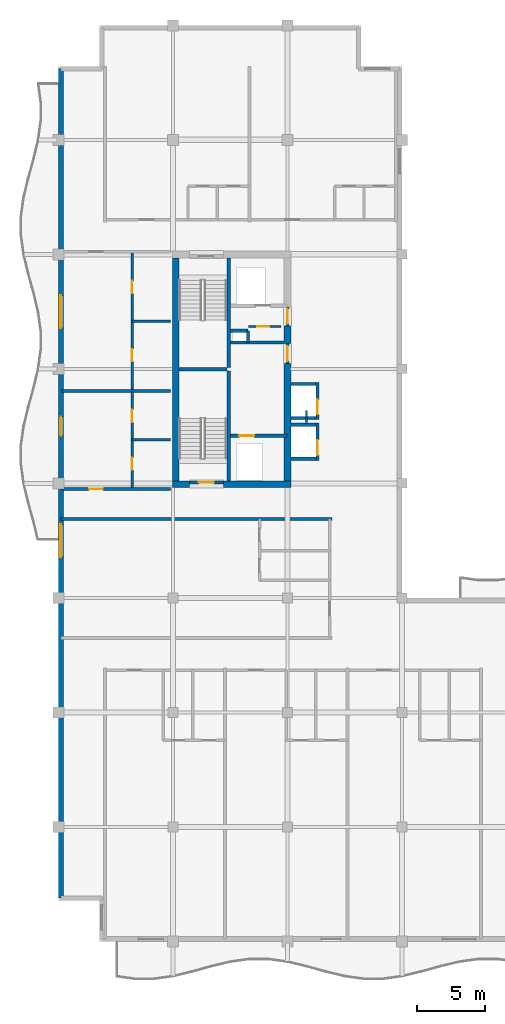
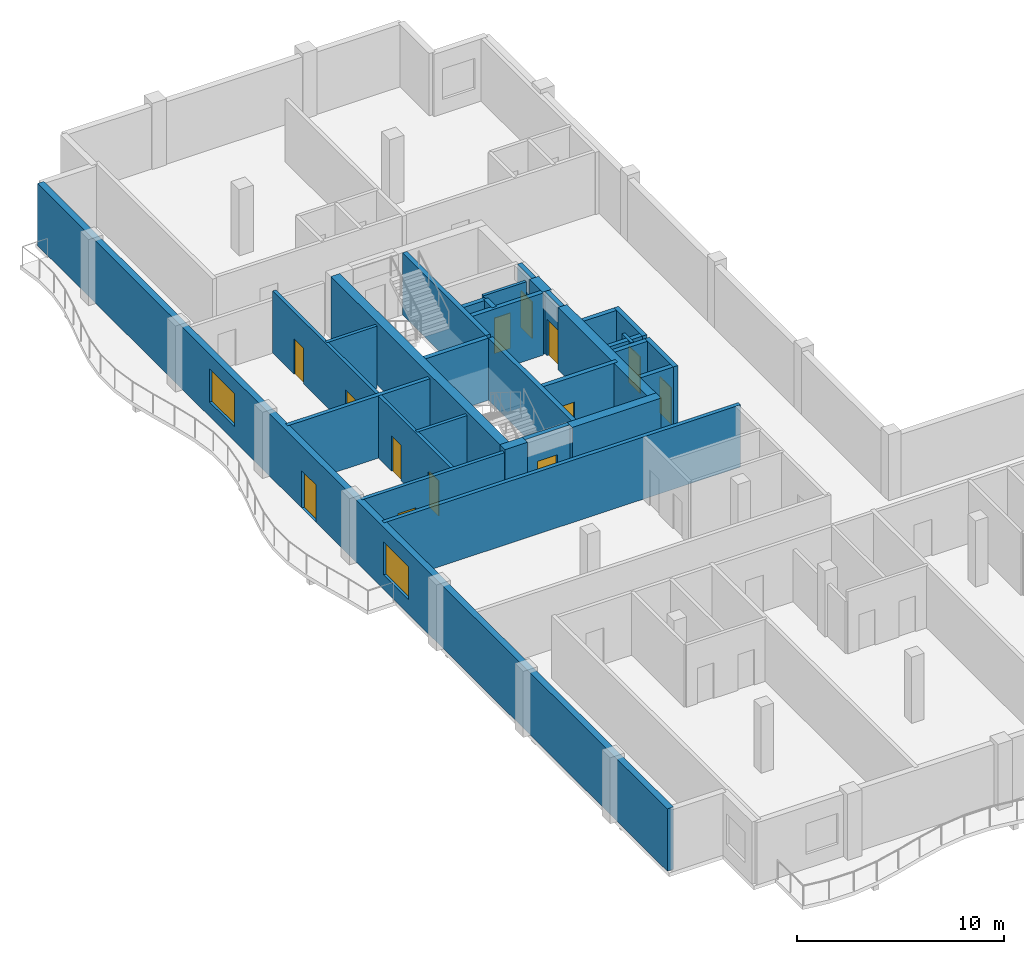
# One storey, part 5 of 10: 31 walls, 13 doors, 2 windows, 15 openings.
"""IFC4 building model written with IfcOpenShell, lengths in metres."""

from ifc_helpers import new_model, si_unit, direction, frame, frame_2d, origin, place, context, subcontext, project, spatial, rectangle, extrude, material, layer, layer_set, type_object, element, fill, save


model = new_model("IFC4")

# Units and contexts
model_context = context("Model", 3, precision=1e-05, world=origin(), true_north=direction((0.0, 1.0)))
body_context = subcontext(model_context, "Body", "Model", "MODEL_VIEW")
ifc_project = project(units=[si_unit("LENGTHUNIT", "METRE"), si_unit("AREAUNIT", "SQUARE_METRE"), si_unit("VOLUMEUNIT", "CUBIC_METRE"), si_unit("PLANEANGLEUNIT", "RADIAN"), si_unit("MASSUNIT", "GRAM", prefix="KILO")], contexts=[model_context])

# Site, building, storey
site_placement = place(None, origin())
site = spatial("IfcSite", under=ifc_project, at=site_placement, CompositionType="ELEMENT")
building_placement = place(site_placement, origin())
building = spatial("IfcBuilding", under=site, at=building_placement, Name="Koriwani Terraces Tower", CompositionType="ELEMENT")
storey_placement = place(building_placement, frame((0.0, 0.0, 304.699951171875)))
storey = spatial("IfcBuildingStorey", under=building, at=storey_placement, Name="L75", CompositionType="ELEMENT", Elevation=304.699951171875)

# Walls
ifc_material_1 = material(Name="Concrete C50/60", Category="concrete")
ifc_layer_1 = layer(ifc_material_1, 0.5, Name="Concrete C50/60")
ifc_layer_set_1 = layer_set([ifc_layer_1], Name="Concrete C50/60")
wall_type_1 = type_object("IfcWallType", Name="WALL_CORE_RC_500", PredefinedType="SHEAR", material=ifc_layer_set_1)
wall_1_placement = place(storey_placement, frame((16.75, 41.949951171875, 0.0), z_axis=(0.0, 0.0, 1.0), x_axis=(1.0, 0.0, 0.0)))
element("IfcWall", 1, at=wall_1_placement, inside=storey, type_object=wall_type_1, Name="L75 West Split Core Shear Wall S1", PredefinedType="SHEAR", context=body_context, shape_type="SweptSolid", body=[
    extrude(rectangle(XDim=1.25, YDim=0.5, at=frame_2d((0.625, 0.0))), origin(), (0.0, 0.0, 1.0), 3.670166015625),
])
wall_2_placement = place(storey_placement, frame((20.5, 41.949951171875, 0.0), z_axis=(0.0, 0.0, 1.0), x_axis=(1.0, 0.0, 0.0)))
element("IfcWall", 2, at=wall_2_placement, inside=storey, type_object=wall_type_1, Name="L75 West Split Core Shear Wall S2", PredefinedType="SHEAR", context=body_context, shape_type="SweptSolid", body=[
    extrude(rectangle(XDim=4.949951171875, YDim=0.5, at=frame_2d((2.47509765625, 0.0))), origin(), (0.0, 0.0, 1.0), 3.670166015625),
])
wall_3_placement = place(storey_placement, frame((17.0, 42.199951171875, 0.0), z_axis=(0.0, 0.0, 1.0), x_axis=(0.0, 1.0, 0.0)))
element("IfcWall", 3, at=wall_3_placement, inside=storey, type_object=wall_type_1, Name="L75 West Split Core Shear Wall W1", PredefinedType="SHEAR", context=body_context, shape_type="SweptSolid", body=[
    extrude(rectangle(XDim=16.35009765625, YDim=0.5, at=frame_2d((8.175048828125, 0.0))), origin(), (0.0, 0.0, 1.0), 3.670166015625),
])
wall_4_placement = place(storey_placement, frame((25.199951171875, 42.199951171875, 0.0), z_axis=(0.0, 0.0, 1.0), x_axis=(0.0, 1.0, 0.0)))
element("IfcWall", 4, at=wall_4_placement, inside=storey, type_object=wall_type_1, Name="L75 West Split Core Shear Wall E1", PredefinedType="SHEAR", context=body_context, shape_type="SweptSolid", body=[
    extrude(rectangle(XDim=8.60009765625, YDim=0.5, at=frame_2d((4.300048828125, 0.0))), origin(), (0.0, 0.0, 1.0), 3.670166015625),
])
wall_5_placement = place(storey_placement, frame((25.199951171875, 52.280029296875, 0.0), z_axis=(0.0, 0.0, 1.0), x_axis=(0.0, 1.0, 0.0)))
element("IfcWall", 5, at=wall_5_placement, inside=storey, type_object=wall_type_1, Name="L75 West Split Core Shear Wall E2", PredefinedType="SHEAR", context=body_context, shape_type="SweptSolid", body=[
    extrude(rectangle(XDim=1.27001953125, YDim=0.5, at=frame_2d((0.635009765625, 0.0))), origin(), (0.0, 0.0, 1.0), 3.670166015625),
])

# Wall, opening, door
ifc_material_2 = material(Name="Autoclaved Cellular Concrete Blockwork", Category="masonry")
ifc_layer_2 = layer(ifc_material_2, 0.199951171875, Name="Autoclaved Cellular Concrete Blockwork")
ifc_layer_set_2 = layer_set([ifc_layer_2], Name="Autoclaved Cellular Concrete Blockwork")
wall_type_2 = type_object("IfcWallType", Name="WALL_CORRIDOR_200", PredefinedType="PARTITIONING", material=ifc_layer_set_2)
wall_6_placement = place(storey_placement, frame((8.64990234375, 41.60009765625, 0.0), z_axis=(0.0, 0.0, 1.0), x_axis=(1.0, 0.0, 0.0)))
wall_6 = element("IfcWall", 6, at=wall_6_placement, inside=storey, type_object=wall_type_2, Name="L75 Interior Wall WRZ4-WS-L75", PredefinedType="PARTITIONING", context=body_context, shape_type="SweptSolid", body=[
    extrude(rectangle(XDim=7.9501953125, YDim=0.199951171875, at=frame_2d((3.97509765625, 0.0))), origin(), (0.0, 0.0, 1.0), 3.670166015625),
])
opening_1_placement = place(wall_6_placement, frame((2.0, 0.0, 0.0)))
opening_1 = element("IfcOpeningElement", 7, at=opening_1_placement, cuts=wall_6, Name="Opening D-05", PredefinedType="OPENING", context=body_context, shape_type="SweptSolid", body=[
    extrude(rectangle(XDim=1.0, YDim=2.14990234375, at=frame_2d((0.5, 1.074951171875))), frame((0.0, 0.10986328125, 0.0), z_axis=(0.0, -1.0, 0.0), x_axis=(1.0, 0.0, 0.0)), (0.0, 0.0, 1.0), 0.219970703125),
])
ifc_material_3 = material(Name="Architectural Oak Fire Door", Category="wood")
door_type_1 = type_object("IfcDoorType", Name="DOOR_SUITE_ENTRY_1000X2150", OperationType="NOTDEFINED", PredefinedType="DOOR", material=ifc_material_3)
door_1_placement = place(opening_1_placement, origin())
door_1 = element("IfcDoor", 8, at=door_1_placement, inside=storey, type_object=door_type_1, Name="Apartment 75RW1 Entrance Door", OperationType="SINGLE_SWING_LEFT", OverallHeight=2.14990234375, OverallWidth=1.0, PredefinedType="DOOR", context=body_context, shape_type="SweptSolid", body=[
    extrude(rectangle(XDim=1.0, YDim=2.14990234375, at=frame_2d((0.5, 1.074951171875))), frame((0.0, 0.02490234375, 0.0), z_axis=(0.0, -1.0, 0.0), x_axis=(1.0, 0.0, 0.0)), (0.0, 0.0, 1.0), 0.050048828125),
])
fill(opening_1, door_1)

# Walls
ifc_layer_3 = layer(ifc_material_2, 0.219970703125, Name="Autoclaved Cellular Concrete Blockwork")
ifc_layer_set_3 = layer_set([ifc_layer_3], Name="Autoclaved Cellular Concrete Blockwork")
wall_type_3 = type_object("IfcWallType", Name="WALL_DEMISING_220", PredefinedType="PARTITIONING", material=ifc_layer_set_3)
wall_7_placement = place(storey_placement, frame((8.64990234375, 48.800048828125, 0.0), z_axis=(0.0, 0.0, 1.0), x_axis=(1.0, 0.0, 0.0)))
element("IfcWall", 9, at=wall_7_placement, inside=storey, type_object=wall_type_3, Name="L75 Interior Wall WRZ4-WM-L75", PredefinedType="PARTITIONING", context=body_context, shape_type="SweptSolid", body=[
    extrude(rectangle(XDim=7.9501953125, YDim=0.219970703125, at=frame_2d((3.97509765625, 0.0))), origin(), (0.0, 0.0, 1.0), 3.670166015625),
])
wall_8_placement = place(storey_placement, frame((8.60009765625, 39.39990234375, 0.0), z_axis=(0.0, 0.0, 1.0), x_axis=(1.0, 0.0, 0.0)))
element("IfcWall", 10, at=wall_8_placement, inside=storey, type_object=wall_type_3, Name="L75 Interior Wall WRDEME-L75-NE", PredefinedType="PARTITIONING", context=body_context, shape_type="SweptSolid", body=[
    extrude(rectangle(XDim=19.8798828125, YDim=0.219970703125, at=frame_2d((9.93994140625, 0.0))), origin(), (0.0, 0.0, 1.0), 3.670166015625),
])

# Wall, openings, door, windows
ifc_layer_4 = layer(ifc_material_1, 0.35009765625, Name="Concrete C50/60")
ifc_layer_set_4 = layer_set([ifc_layer_4], Name="Concrete C50/60")
wall_type_4 = type_object("IfcWallType", Name="WALL_EXT_BRUTALIST_350", PredefinedType="STANDARD", material=ifc_layer_set_4)
wall_9_placement = place(storey_placement, frame((8.574951171875, 11.574951171875, 0.0), z_axis=(0.0, 0.0, 1.0), x_axis=(0.0, 1.0, 0.0)))
wall_9 = element("IfcWall", 11, at=wall_9_placement, inside=storey, type_object=wall_type_4, Name="L75 Fair-Faced Brutalist Exterior Wall (W)", PredefinedType="STANDARD", context=body_context, shape_type="SweptSolid", body=[
    extrude(rectangle(XDim=60.85009765625, YDim=0.35009765625, at=frame_2d((30.425048828125, 0.0))), origin(), (0.0, 0.0, 1.0), 3.670166015625),
])
opening_2_placement = place(wall_9_placement, frame((33.925048828125, 0.0, 0.0)))
opening_2 = element("IfcOpeningElement", 12, at=opening_2_placement, cuts=wall_9, Name="Opening D-09", PredefinedType="OPENING", context=body_context, shape_type="SweptSolid", body=[
    extrude(rectangle(XDim=1.39990234375, YDim=2.199951171875, at=frame_2d((0.699951171875, 1.10009765625))), frame((0.0, 0.18505859375, 0.0), z_axis=(0.0, -1.0, 0.0), x_axis=(1.0, 0.0, 0.0)), (0.0, 0.0, 1.0), 0.3701171875),
])
opening_3_placement = place(wall_9_placement, frame((25.02490234375, 0.0, 0.85009765625)))
opening_3 = element("IfcOpeningElement", 13, at=opening_3_placement, cuts=wall_9, Name="Opening W-03", PredefinedType="OPENING", context=body_context, shape_type="SweptSolid", body=[
    extrude(rectangle(XDim=2.39990234375, YDim=1.949951171875, at=frame_2d((1.199951171875, 0.97509765625))), frame((0.0, 0.18505859375, 0.0), z_axis=(0.0, -1.0, 0.0), x_axis=(1.0, 0.0, 0.0)), (0.0, 0.0, 1.0), 0.3701171875),
])
opening_4_placement = place(wall_9_placement, frame((41.824951171875, 0.0, 0.85009765625)))
opening_4 = element("IfcOpeningElement", 14, at=opening_4_placement, cuts=wall_9, Name="Opening W-03", PredefinedType="OPENING", context=body_context, shape_type="SweptSolid", body=[
    extrude(rectangle(XDim=2.39990234375, YDim=1.949951171875, at=frame_2d((1.199951171875, 0.97509765625))), frame((0.0, 0.18505859375, 0.0), z_axis=(0.0, -1.0, 0.0), x_axis=(1.0, 0.0, 0.0)), (0.0, 0.0, 1.0), 0.3701171875),
])
ifc_material_4 = material(Name="Anodised Bronze Aluminium", Category="aluminium")
door_type_2 = type_object("IfcDoorType", Name="DOOR_BALCONY_GLAZED_1400X2200", OperationType="NOTDEFINED", PredefinedType="DOOR", material=ifc_material_4)
door_2_placement = place(opening_2_placement, origin())
door_2 = element("IfcDoor", 15, at=door_2_placement, inside=storey, type_object=door_type_2, Name="L75 West Balcony Glazed Door", OperationType="SINGLE_SWING_LEFT", OverallHeight=2.199951171875, OverallWidth=1.39990234375, PredefinedType="DOOR", context=body_context, shape_type="SweptSolid", body=[
    extrude(rectangle(XDim=1.39990234375, YDim=2.199951171875, at=frame_2d((0.699951171875, 1.10009765625))), frame((0.0, 0.02490234375, 0.0), z_axis=(0.0, -1.0, 0.0), x_axis=(1.0, 0.0, 0.0)), (0.0, 0.0, 1.0), 0.050048828125),
])
fill(opening_2, door_2)
ifc_material_5 = material(Name="Tempered Laminated Low-E Glass", Category="glass")
window_type = type_object("IfcWindowType", Name="WIN_RES_LIVING_2400X1950", PartitioningType="DOUBLE_PANEL_VERTICAL", PredefinedType="WINDOW", material=ifc_material_5)
window_1_placement = place(opening_3_placement, origin())
window_1 = element("IfcWindow", 16, at=window_1_placement, inside=storey, type_object=window_type, Name="L75 Exterior Window (W-9)", OverallHeight=1.949951171875, OverallWidth=2.39990234375, PartitioningType="SINGLE_PANEL", PredefinedType="WINDOW", context=body_context, shape_type="SweptSolid", body=[
    extrude(rectangle(XDim=2.39990234375, YDim=1.949951171875, at=frame_2d((1.199951171875, 0.97509765625))), frame((0.0, 0.030029296875, 0.0), z_axis=(0.0, -1.0, 0.0), x_axis=(1.0, 0.0, 0.0)), (0.0, 0.0, 1.0), 0.06005859375),
])
fill(opening_3, window_1)
window_2_placement = place(opening_4_placement, origin())
window_2 = element("IfcWindow", 17, at=window_2_placement, inside=storey, type_object=window_type, Name="L75 Exterior Window (W-15)", OverallHeight=1.949951171875, OverallWidth=2.39990234375, PartitioningType="SINGLE_PANEL", PredefinedType="WINDOW", context=body_context, shape_type="SweptSolid", body=[
    extrude(rectangle(XDim=2.39990234375, YDim=1.949951171875, at=frame_2d((1.199951171875, 0.97509765625))), frame((0.0, 0.030029296875, 0.0), z_axis=(0.0, -1.0, 0.0), x_axis=(1.0, 0.0, 0.0)), (0.0, 0.0, 1.0), 0.06005859375),
])
fill(opening_4, window_2)

# Wall, openings, doors
ifc_material_6 = material(Name="Fire-Rated Acoustic Gypsum Partition", Category="masonry")
ifc_layer_5 = layer(ifc_material_6, 0.179931640625, Name="Fire-Rated Acoustic Gypsum Partition")
ifc_layer_set_5 = layer_set([ifc_layer_5], Name="Fire-Rated Acoustic Gypsum Partition")
wall_type_5 = type_object("IfcWallType", Name="WALL_PLUMBING_180", PredefinedType="PLUMBINGWALL", material=ifc_layer_set_5)
wall_10_placement = place(storey_placement, frame((13.800048828125, 41.699951171875, 0.0), z_axis=(0.0, 0.0, 1.0), x_axis=(0.0, 1.0, 0.0)))
wall_10 = element("IfcWall", 18, at=wall_10_placement, inside=storey, type_object=wall_type_5, Name="L75 Interior Wall WRZ4-RW1-PB-L75", PredefinedType="PLUMBINGWALL", context=body_context, shape_type="SweptSolid", body=[
    extrude(rectangle(XDim=7.0, YDim=0.179931640625, at=frame_2d((3.5, 0.0))), origin(), (0.0, 0.0, 1.0), 3.670166015625),
])
opening_5_placement = place(wall_10_placement, frame((1.300048828125, 0.0, 0.0)))
opening_5 = element("IfcOpeningElement", 19, at=opening_5_placement, cuts=wall_10, Name="Opening D-07", PredefinedType="OPENING", context=body_context, shape_type="SweptSolid", body=[
    extrude(rectangle(XDim=0.89990234375, YDim=2.10009765625, at=frame_2d((0.449951171875, 1.050048828125))), frame((0.0, 0.10009765625, 0.0), z_axis=(0.0, -1.0, 0.0), x_axis=(1.0, 0.0, 0.0)), (0.0, 0.0, 1.0), 0.199951171875),
])
opening_6_placement = place(wall_10_placement, frame((4.7900390625, 0.0, 0.0)))
opening_6 = element("IfcOpeningElement", 20, at=opening_6_placement, cuts=wall_10, Name="Opening D-06", PredefinedType="OPENING", context=body_context, shape_type="SweptSolid", body=[
    extrude(rectangle(XDim=0.919921875, YDim=2.10009765625, at=frame_2d((0.4599609375, 1.050048828125))), frame((0.0, 0.10009765625, 0.0), z_axis=(0.0, -1.0, 0.0), x_axis=(1.0, 0.0, 0.0)), (0.0, 0.0, 1.0), 0.199951171875),
])
door_type_3 = type_object("IfcDoorType", Name="DOOR_BATH_INT_900X2100", OperationType="NOTDEFINED", PredefinedType="DOOR", material=ifc_material_3)
door_3_placement = place(opening_5_placement, origin())
door_3 = element("IfcDoor", 21, at=door_3_placement, inside=storey, type_object=door_type_3, Name="Apartment 75RW1 Bathroom Door", OperationType="SINGLE_SWING_LEFT", OverallHeight=2.10009765625, OverallWidth=0.89990234375, PredefinedType="DOOR", context=body_context, shape_type="SweptSolid", body=[
    extrude(rectangle(XDim=0.89990234375, YDim=2.10009765625, at=frame_2d((0.449951171875, 1.050048828125))), frame((0.0, 0.02490234375, 0.0), z_axis=(0.0, -1.0, 0.0), x_axis=(1.0, 0.0, 0.0)), (0.0, 0.0, 1.0), 0.050048828125),
])
fill(opening_5, door_3)
door_type_4 = type_object("IfcDoorType", Name="DOOR_ROOM_INT_920X2100", OperationType="NOTDEFINED", PredefinedType="DOOR", material=ifc_material_3)
door_4_placement = place(opening_6_placement, origin())
door_4 = element("IfcDoor", 22, at=door_4_placement, inside=storey, type_object=door_type_4, Name="Apartment 75RW1 Kitchen Door", OperationType="SINGLE_SWING_RIGHT", OverallHeight=2.10009765625, OverallWidth=0.919921875, PredefinedType="DOOR", context=body_context, shape_type="SweptSolid", body=[
    extrude(rectangle(XDim=0.919921875, YDim=2.10009765625, at=frame_2d((0.4599609375, 1.050048828125))), frame((0.0, 0.02490234375, 0.0), z_axis=(0.0, -1.0, 0.0), x_axis=(1.0, 0.0, 0.0)), (0.0, 0.0, 1.0), 0.050048828125),
])
fill(opening_6, door_4)

# Wall
wall_11_placement = place(storey_placement, frame((13.800048828125, 45.199951171875, 0.0), z_axis=(0.0, 0.0, 1.0), x_axis=(1.0, 0.0, 0.0)))
element("IfcWall", 23, at=wall_11_placement, inside=storey, type_object=wall_type_5, Name="L75 Interior Wall WRZ4-RW1-P2-L75", PredefinedType="PLUMBINGWALL", context=body_context, shape_type="SweptSolid", body=[
    extrude(rectangle(XDim=2.800048828125, YDim=0.179931640625, at=frame_2d((1.39990234375, 0.0))), origin(), (0.0, 0.0, 1.0), 3.670166015625),
])

# Wall, openings, doors
wall_12_placement = place(storey_placement, frame((13.800048828125, 48.89990234375, 0.0), z_axis=(0.0, 0.0, 1.0), x_axis=(0.0, 1.0, 0.0)))
wall_12 = element("IfcWall", 24, at=wall_12_placement, inside=storey, type_object=wall_type_5, Name="L75 Interior Wall WRZ4-RW2-PB-L75", PredefinedType="PLUMBINGWALL", context=body_context, shape_type="SweptSolid", body=[
    extrude(rectangle(XDim=10.0, YDim=0.179931640625, at=frame_2d((5.0, 0.0))), origin(), (0.0, 0.0, 1.0), 3.670166015625),
])
opening_7_placement = place(wall_12_placement, frame((2.050048828125, 0.0, 0.0)))
opening_7 = element("IfcOpeningElement", 25, at=opening_7_placement, cuts=wall_12, Name="Opening D-07", PredefinedType="OPENING", context=body_context, shape_type="SweptSolid", body=[
    extrude(rectangle(XDim=0.89990234375, YDim=2.10009765625, at=frame_2d((0.449951171875, 1.050048828125))), frame((0.0, 0.10009765625, 0.0), z_axis=(0.0, -1.0, 0.0), x_axis=(1.0, 0.0, 0.0)), (0.0, 0.0, 1.0), 0.199951171875),
])
opening_8_placement = place(wall_12_placement, frame((7.0400390625, 0.0, 0.0)))
opening_8 = element("IfcOpeningElement", 26, at=opening_8_placement, cuts=wall_12, Name="Opening D-06", PredefinedType="OPENING", context=body_context, shape_type="SweptSolid", body=[
    extrude(rectangle(XDim=0.919921875, YDim=2.10009765625, at=frame_2d((0.4599609375, 1.050048828125))), frame((0.0, 0.10009765625, 0.0), z_axis=(0.0, -1.0, 0.0), x_axis=(1.0, 0.0, 0.0)), (0.0, 0.0, 1.0), 0.199951171875),
])
door_5_placement = place(opening_7_placement, origin())
door_5 = element("IfcDoor", 27, at=door_5_placement, inside=storey, type_object=door_type_3, Name="Apartment 75RW2 Bathroom Door", OperationType="SINGLE_SWING_LEFT", OverallHeight=2.10009765625, OverallWidth=0.89990234375, PredefinedType="DOOR", context=body_context, shape_type="SweptSolid", body=[
    extrude(rectangle(XDim=0.89990234375, YDim=2.10009765625, at=frame_2d((0.449951171875, 1.050048828125))), frame((0.0, 0.02490234375, 0.0), z_axis=(0.0, -1.0, 0.0), x_axis=(1.0, 0.0, 0.0)), (0.0, 0.0, 1.0), 0.050048828125),
])
fill(opening_7, door_5)
door_6_placement = place(opening_8_placement, origin())
door_6 = element("IfcDoor", 28, at=door_6_placement, inside=storey, type_object=door_type_4, Name="Apartment 75RW2 Kitchen Door", OperationType="SINGLE_SWING_RIGHT", OverallHeight=2.10009765625, OverallWidth=0.919921875, PredefinedType="DOOR", context=body_context, shape_type="SweptSolid", body=[
    extrude(rectangle(XDim=0.919921875, YDim=2.10009765625, at=frame_2d((0.4599609375, 1.050048828125))), frame((0.0, 0.02490234375, 0.0), z_axis=(0.0, -1.0, 0.0), x_axis=(1.0, 0.0, 0.0)), (0.0, 0.0, 1.0), 0.050048828125),
])
fill(opening_8, door_6)

# Walls
wall_13_placement = place(storey_placement, frame((13.800048828125, 53.89990234375, 0.0), z_axis=(0.0, 0.0, 1.0), x_axis=(1.0, 0.0, 0.0)))
element("IfcWall", 29, at=wall_13_placement, inside=storey, type_object=wall_type_5, Name="L75 Interior Wall WRZ4-RW2-P2-L75", PredefinedType="PLUMBINGWALL", context=body_context, shape_type="SweptSolid", body=[
    extrude(rectangle(XDim=2.800048828125, YDim=0.179931640625, at=frame_2d((1.39990234375, 0.0))), origin(), (0.0, 0.0, 1.0), 3.670166015625),
])
ifc_material_7 = material(Name="Concrete C40/50", Category="concrete")
ifc_layer_6 = layer(ifc_material_7, 0.25, Name="Concrete C40/50")
ifc_layer_set_6 = layer_set([ifc_layer_6], Name="Concrete C40/50")
wall_type_6 = type_object("IfcWallType", Name="WALL_SHAFT_RATED_250", PredefinedType="SOLIDWALL", material=ifc_layer_set_6)
for number, where, z_axis, x_axis, name in (
    (30, (20.875, 42.199951171875, 0.0), (0.0, 0.0, 1.0), (0.0, 1.0, 0.0), "L75 West Split Core Web Wall MID1"),
    (31, (20.875, 50.5, 0.0), (0.0, 0.0, 1.0), (0.0, 1.0, 0.0), "L75 West Split Core Web Wall MID2"),
):
    element("IfcWall", number, at=place(storey_placement, frame(where, z_axis=z_axis, x_axis=x_axis)), inside=storey, type_object=wall_type_6, Name=name, PredefinedType="SOLIDWALL", context=body_context, shape_type="SweptSolid", body=[
        extrude(rectangle(XDim=8.050048828125, YDim=0.25, at=frame_2d((4.02490234375, 0.0))), origin(), (0.0, 0.0, 1.0), 3.670166015625),
    ])
wall_14_placement = place(storey_placement, frame((17.25, 50.375, 0.0), z_axis=(0.0, 0.0, 1.0), x_axis=(1.0, 0.0, 0.0)))
element("IfcWall", 32, at=wall_14_placement, inside=storey, type_object=wall_type_6, Name="L75 West Split Core Stair Dividing Wall", PredefinedType="SOLIDWALL", context=body_context, shape_type="SweptSolid", body=[
    extrude(rectangle(XDim=3.5, YDim=0.25, at=frame_2d((1.75, 0.0))), origin(), (0.0, 0.0, 1.0), 3.670166015625),
])

# Wall, opening, door
wall_15_placement = place(storey_placement, frame((18.0, 42.074951171875, 0.0), z_axis=(0.0, 0.0, 1.0), x_axis=(1.0, 0.0, 0.0)))
wall_15 = element("IfcWall", 33, at=wall_15_placement, inside=storey, type_object=wall_type_6, Name="L75 Interior Wall WIN-CW-L75-STS", PredefinedType="SOLIDWALL", context=body_context, shape_type="SweptSolid", body=[
    extrude(rectangle(XDim=2.5, YDim=0.25, at=frame_2d((1.25, 0.0))), origin(), (0.0, 0.0, 1.0), 3.670166015625),
])
opening_9_placement = place(wall_15_placement, frame((0.699951171875, 0.0, 0.0)))
opening_9 = element("IfcOpeningElement", 34, at=opening_9_placement, cuts=wall_15, Name="Opening D-03", PredefinedType="OPENING", context=body_context, shape_type="SweptSolid", body=[
    extrude(rectangle(XDim=1.10009765625, YDim=2.14990234375, at=frame_2d((0.550048828125, 1.074951171875))), frame((0.0, 0.135009765625, 0.0), z_axis=(0.0, -1.0, 0.0), x_axis=(1.0, 0.0, 0.0)), (0.0, 0.0, 1.0), 0.27001953125),
])
ifc_material_8 = material(Name="Steel ASTM A572 Grade 50", Category="steel")
door_type_5 = type_object("IfcDoorType", Name="DOOR_STAIR_FIRE_1100X2150", OperationType="NOTDEFINED", PredefinedType="DOOR", material=ifc_material_8)
door_7_placement = place(opening_9_placement, origin())
door_7 = element("IfcDoor", 35, at=door_7_placement, inside=storey, type_object=door_type_5, Name="L75 Exit Stair ST-W1 Door", OperationType="SINGLE_SWING_LEFT", OverallHeight=2.14990234375, OverallWidth=1.10009765625, PredefinedType="DOOR", context=body_context, shape_type="SweptSolid", body=[
    extrude(rectangle(XDim=1.10009765625, YDim=2.14990234375, at=frame_2d((0.550048828125, 1.074951171875))), frame((0.0, 0.02490234375, 0.0), z_axis=(0.0, -1.0, 0.0), x_axis=(1.0, 0.0, 0.0)), (0.0, 0.0, 1.0), 0.050048828125),
])
fill(opening_9, door_7)

wall_16_placement = place(storey_placement, frame((21.0, 45.5, 0.0), z_axis=(0.0, 0.0, 1.0), x_axis=(1.0, 0.0, 0.0)))
wall_16 = element("IfcWall", 36, at=wall_16_placement, inside=storey, type_object=wall_type_6, Name="L75 Interior Wall WIN-CW-L75-FE", PredefinedType="SOLIDWALL", context=body_context, shape_type="SweptSolid", body=[
    extrude(rectangle(XDim=4.14990234375, YDim=0.25, at=frame_2d((2.074951171875, 0.0))), origin(), (0.0, 0.0, 1.0), 3.670166015625),
])
opening_10_placement = place(wall_16_placement, frame((0.64990234375, 0.0, 0.0)))
opening_10 = element("IfcOpeningElement", 37, at=opening_10_placement, cuts=wall_16, Name="Opening LD-01", PredefinedType="OPENING", context=body_context, shape_type="SweptSolid", body=[
    extrude(rectangle(XDim=1.10009765625, YDim=2.14990234375, at=frame_2d((0.550048828125, 1.074951171875))), frame((0.0, 0.135009765625, 0.0), z_axis=(0.0, -1.0, 0.0), x_axis=(1.0, 0.0, 0.0)), (0.0, 0.0, 1.0), 0.27001953125),
])
door_type_6 = type_object("IfcDoorType", Name="DOOR_LIFT_LANDING_1100X2200", OperationType="NOTDEFINED", PredefinedType="DOOR", material=ifc_material_8)
door_8_placement = place(opening_10_placement, origin())
door_8 = element("IfcDoor", 38, at=door_8_placement, inside=storey, type_object=door_type_6, Name="L75 Firefighting Lift FE-01 Landing Door", OperationType="SLIDING_TO_LEFT", OverallHeight=2.14990234375, OverallWidth=1.10009765625, PredefinedType="DOOR", context=body_context, shape_type="SweptSolid", body=[
    extrude(rectangle(XDim=1.10009765625, YDim=2.14990234375, at=frame_2d((0.550048828125, 1.074951171875))), frame((0.0, 0.02490234375, 0.0), z_axis=(0.0, -1.0, 0.0), x_axis=(1.0, 0.0, 0.0)), (0.0, 0.0, 1.0), 0.050048828125),
])
fill(opening_10, door_8)

wall_17_placement = place(storey_placement, frame((25.199951171875, 50.800048828125, 0.0), z_axis=(0.0, 0.0, 1.0), x_axis=(0.0, 1.0, 0.0)))
wall_17 = element("IfcWall", 39, at=wall_17_placement, inside=storey, type_object=wall_type_6, Name="L75 Interior Wall WIN-CW-L75-EP", PredefinedType="SOLIDWALL", context=body_context, shape_type="SweptSolid", body=[
    extrude(rectangle(XDim=1.47998046875, YDim=0.25, at=frame_2d((0.739990234375, 0.0))), origin(), (0.0, 0.0, 1.0), 3.670166015625),
])
opening_11_placement = place(wall_17_placement, frame((0.179931640625, 0.0, 0.0)))
opening_11 = element("IfcOpeningElement", 40, at=opening_11_placement, cuts=wall_17, Name="Opening D-03", PredefinedType="OPENING", context=body_context, shape_type="SweptSolid", body=[
    extrude(rectangle(XDim=1.10009765625, YDim=2.14990234375, at=frame_2d((0.550048828125, 1.074951171875))), frame((0.0, 0.135009765625, 0.0), z_axis=(0.0, -1.0, 0.0), x_axis=(1.0, 0.0, 0.0)), (0.0, 0.0, 1.0), 0.27001953125),
])
door_9_placement = place(opening_11_placement, origin())
door_9 = element("IfcDoor", 41, at=door_9_placement, inside=storey, type_object=door_type_5, Name="L75 West Firefighting Lobby Door", OperationType="SINGLE_SWING_LEFT", OverallHeight=2.14990234375, OverallWidth=1.10009765625, PredefinedType="DOOR", context=body_context, shape_type="SweptSolid", body=[
    extrude(rectangle(XDim=1.10009765625, YDim=2.14990234375, at=frame_2d((0.550048828125, 1.074951171875))), frame((0.0, 0.02490234375, 0.0), z_axis=(0.0, -1.0, 0.0), x_axis=(1.0, 0.0, 0.0)), (0.0, 0.0, 1.0), 0.050048828125),
])
fill(opening_11, door_9)

# Wall
wall_18_placement = place(storey_placement, frame((21.0, 52.340087890625, 0.0), z_axis=(0.0, 0.0, 1.0), x_axis=(1.0, 0.0, 0.0)))
element("IfcWall", 42, at=wall_18_placement, inside=storey, type_object=wall_type_6, Name="L75 Interior Wall WIN-CW-L75-FFN", PredefinedType="SOLIDWALL", context=body_context, shape_type="SweptSolid", body=[
    extrude(rectangle(XDim=3.949951171875, YDim=0.25, at=frame_2d((1.97509765625, 0.0))), origin(), (0.0, 0.0, 1.0), 3.670166015625),
])

# Wall, opening, door
wall_19_placement = place(storey_placement, frame((25.199951171875, 53.550048828125, 0.0), z_axis=(0.0, 0.0, 1.0), x_axis=(0.0, 1.0, 0.0)))
wall_19 = element("IfcWall", 43, at=wall_19_placement, inside=storey, type_object=wall_type_6, Name="L75 Interior Wall WIN-CW-L75-EP2", PredefinedType="SOLIDWALL", context=body_context, shape_type="SweptSolid", body=[
    extrude(rectangle(XDim=1.39990234375, YDim=0.25, at=frame_2d((0.699951171875, 0.0))), origin(), (0.0, 0.0, 1.0), 3.670166015625),
])
opening_12_placement = place(wall_19_placement, frame((0.14990234375, 0.0, 0.0)))
opening_12 = element("IfcOpeningElement", 44, at=opening_12_placement, cuts=wall_19, Name="Opening D-03", PredefinedType="OPENING", context=body_context, shape_type="SweptSolid", body=[
    extrude(rectangle(XDim=1.10009765625, YDim=2.14990234375, at=frame_2d((0.550048828125, 1.074951171875))), frame((0.0, 0.135009765625, 0.0), z_axis=(0.0, -1.0, 0.0), x_axis=(1.0, 0.0, 0.0)), (0.0, 0.0, 1.0), 0.27001953125),
])
door_10_placement = place(opening_12_placement, origin())
door_10 = element("IfcDoor", 45, at=door_10_placement, inside=storey, type_object=door_type_5, Name="L75 West Goods Lift Lobby Door", OperationType="SINGLE_SWING_RIGHT", OverallHeight=2.14990234375, OverallWidth=1.10009765625, PredefinedType="DOOR", context=body_context, shape_type="SweptSolid", body=[
    extrude(rectangle(XDim=1.10009765625, YDim=2.14990234375, at=frame_2d((0.550048828125, 1.074951171875))), frame((0.0, 0.02490234375, 0.0), z_axis=(0.0, -1.0, 0.0), x_axis=(1.0, 0.0, 0.0)), (0.0, 0.0, 1.0), 0.050048828125),
])
fill(opening_12, door_10)

# Walls
wall_20_placement = place(storey_placement, frame((21.0, 53.199951171875, 0.0), z_axis=(0.0, 0.0, 1.0), x_axis=(1.0, 0.0, 0.0)))
element("IfcWall", 46, at=wall_20_placement, inside=storey, type_object=wall_type_6, Name="L75 Interior Wall WIN-CW-L75-RS1", PredefinedType="SOLIDWALL", context=body_context, shape_type="SweptSolid", body=[
    extrude(rectangle(XDim=1.300048828125, YDim=0.25, at=frame_2d((0.64990234375, 0.0))), origin(), (0.0, 0.0, 1.0), 3.670166015625),
])
wall_21_placement = place(storey_placement, frame((22.300048828125, 52.360107421875, 0.0), z_axis=(0.0, 0.0, 1.0), x_axis=(0.0, 1.0, 0.0)))
element("IfcWall", 47, at=wall_21_placement, inside=storey, type_object=wall_type_6, Name="L75 Interior Wall WIN-CW-L75-RS2", PredefinedType="SOLIDWALL", context=body_context, shape_type="SweptSolid", body=[
    extrude(rectangle(XDim=0.83984375, YDim=0.25, at=frame_2d((0.419921875, 0.0))), origin(), (0.0, 0.0, 1.0), 3.670166015625),
])

# Wall, opening, door
wall_22_placement = place(storey_placement, frame((27.39990234375, 43.675048828125, 0.0), z_axis=(0.0, 0.0, 1.0), x_axis=(0.0, 1.0, 0.0)))
wall_22 = element("IfcWall", 48, at=wall_22_placement, inside=storey, type_object=wall_type_6, Name="L75 Interior Wall WIN-LF-PE-H1-L75-F", PredefinedType="SOLIDWALL", context=body_context, shape_type="SweptSolid", body=[
    extrude(rectangle(XDim=2.75, YDim=0.25, at=frame_2d((1.375, 0.0))), origin(), (0.0, 0.0, 1.0), 3.670166015625),
])
opening_13_placement = place(wall_22_placement, frame((0.39990234375, 0.0, 0.0)))
opening_13 = element("IfcOpeningElement", 49, at=opening_13_placement, cuts=wall_22, Name="Opening LD-01", PredefinedType="OPENING", context=body_context, shape_type="SweptSolid", body=[
    extrude(rectangle(XDim=1.10009765625, YDim=2.14990234375, at=frame_2d((0.550048828125, 1.074951171875))), frame((0.0, 0.135009765625, 0.0), z_axis=(0.0, -1.0, 0.0), x_axis=(1.0, 0.0, 0.0)), (0.0, 0.0, 1.0), 0.27001953125),
])
door_11_placement = place(opening_13_placement, origin())
door_11 = element("IfcDoor", 50, at=door_11_placement, inside=storey, type_object=door_type_6, Name="L75 Passenger Lift PE-H1 Landing Door", OperationType="SLIDING_TO_LEFT", OverallHeight=2.14990234375, OverallWidth=1.10009765625, PredefinedType="DOOR", context=body_context, shape_type="SweptSolid", body=[
    extrude(rectangle(XDim=1.10009765625, YDim=2.14990234375, at=frame_2d((0.550048828125, 1.074951171875))), frame((0.0, 0.02490234375, 0.0), z_axis=(0.0, -1.0, 0.0), x_axis=(1.0, 0.0, 0.0)), (0.0, 0.0, 1.0), 0.050048828125),
])
fill(opening_13, door_11)

# Walls
for number, where, z_axis, x_axis, name in (
    (51, (25.449951171875, 43.800048828125, 0.0), (0.0, 0.0, 1.0), (1.0, 0.0, 0.0), "L75 Interior Wall WIN-LF-PE-H1-L75-S"),
    (52, (25.449951171875, 46.300048828125, 0.0), (0.0, 0.0, 1.0), (1.0, 0.0, 0.0), "L75 Interior Wall WIN-LF-PE-H1-L75-N"),
):
    element("IfcWall", number, at=place(storey_placement, frame(where, z_axis=z_axis, x_axis=x_axis)), inside=storey, type_object=wall_type_6, Name=name, PredefinedType="SOLIDWALL", context=body_context, shape_type="SweptSolid", body=[
        extrude(rectangle(XDim=1.824951171875, YDim=0.25, at=frame_2d((0.91259765625, 0.0))), origin(), (0.0, 0.0, 1.0), 3.670166015625),
    ])

# Wall, opening, door
wall_23_placement = place(storey_placement, frame((27.39990234375, 46.675048828125, 0.0), z_axis=(0.0, 0.0, 1.0), x_axis=(0.0, 1.0, 0.0)))
wall_23 = element("IfcWall", 53, at=wall_23_placement, inside=storey, type_object=wall_type_6, Name="L75 Interior Wall WIN-LF-PE-H2-L75-F", PredefinedType="SOLIDWALL", context=body_context, shape_type="SweptSolid", body=[
    extrude(rectangle(XDim=2.75, YDim=0.25, at=frame_2d((1.375, 0.0))), origin(), (0.0, 0.0, 1.0), 3.670166015625),
])
opening_14_placement = place(wall_23_placement, frame((0.39990234375, 0.0, 0.0)))
opening_14 = element("IfcOpeningElement", 54, at=opening_14_placement, cuts=wall_23, Name="Opening LD-01", PredefinedType="OPENING", context=body_context, shape_type="SweptSolid", body=[
    extrude(rectangle(XDim=1.10009765625, YDim=2.14990234375, at=frame_2d((0.550048828125, 1.074951171875))), frame((0.0, 0.135009765625, 0.0), z_axis=(0.0, -1.0, 0.0), x_axis=(1.0, 0.0, 0.0)), (0.0, 0.0, 1.0), 0.27001953125),
])
door_12_placement = place(opening_14_placement, origin())
door_12 = element("IfcDoor", 55, at=door_12_placement, inside=storey, type_object=door_type_6, Name="L75 Passenger Lift PE-H2 Landing Door", OperationType="SLIDING_TO_LEFT", OverallHeight=2.14990234375, OverallWidth=1.10009765625, PredefinedType="DOOR", context=body_context, shape_type="SweptSolid", body=[
    extrude(rectangle(XDim=1.10009765625, YDim=2.14990234375, at=frame_2d((0.550048828125, 1.074951171875))), frame((0.0, 0.02490234375, 0.0), z_axis=(0.0, -1.0, 0.0), x_axis=(1.0, 0.0, 0.0)), (0.0, 0.0, 1.0), 0.050048828125),
])
fill(opening_14, door_12)

# Walls
for number, where, z_axis, x_axis, name in (
    (56, (25.449951171875, 46.800048828125, 0.0), (0.0, 0.0, 1.0), (1.0, 0.0, 0.0), "L75 Interior Wall WIN-LF-PE-H2-L75-S"),
    (57, (25.449951171875, 49.300048828125, 0.0), (0.0, 0.0, 1.0), (1.0, 0.0, 0.0), "L75 Interior Wall WIN-LF-PE-H2-L75-N"),
):
    element("IfcWall", number, at=place(storey_placement, frame(where, z_axis=z_axis, x_axis=x_axis)), inside=storey, type_object=wall_type_6, Name=name, PredefinedType="SOLIDWALL", context=body_context, shape_type="SweptSolid", body=[
        extrude(rectangle(XDim=1.824951171875, YDim=0.25, at=frame_2d((0.91259765625, 0.0))), origin(), (0.0, 0.0, 1.0), 3.670166015625),
    ])

# Wall, opening, door
ifc_layer_7 = layer(ifc_material_6, 0.159912109375, Name="Fire-Rated Acoustic Gypsum Partition")
ifc_layer_set_7 = layer_set([ifc_layer_7], Name="Fire-Rated Acoustic Gypsum Partition")
wall_type_7 = type_object("IfcWallType", Name="WALL_SUITE_160", PredefinedType="PARTITIONING", material=ifc_layer_set_7)
wall_24_placement = place(storey_placement, frame((22.320068359375, 53.52001953125, 0.0), z_axis=(0.0, 0.0, 1.0), x_axis=(1.0, 0.0, 0.0)))
wall_24 = element("IfcWall", 58, at=wall_24_placement, inside=storey, type_object=wall_type_7, Name="L75 Interior Wall WIN-CW-L75-SV0", PredefinedType="PARTITIONING", context=body_context, shape_type="SweptSolid", body=[
    extrude(rectangle(XDim=2.39990234375, YDim=0.159912109375, at=frame_2d((1.199951171875, 0.0))), origin(), (0.0, 0.0, 1.0), 3.670166015625),
])
opening_15_placement = place(wall_24_placement, frame((0.64990234375, 0.0, 0.0)))
opening_15 = element("IfcOpeningElement", 59, at=opening_15_placement, cuts=wall_24, Name="Opening D-07", PredefinedType="OPENING", context=body_context, shape_type="SweptSolid", body=[
    extrude(rectangle(XDim=0.89990234375, YDim=2.10009765625, at=frame_2d((0.449951171875, 1.050048828125))), frame((0.0, 0.08984375, 0.0), z_axis=(0.0, -1.0, 0.0), x_axis=(1.0, 0.0, 0.0)), (0.0, 0.0, 1.0), 0.179931640625),
])
door_13_placement = place(opening_15_placement, origin())
door_13 = element("IfcDoor", 60, at=door_13_placement, inside=storey, type_object=door_type_3, Name="L75 West Electrical Switch Room Door", OperationType="SINGLE_SWING_LEFT", OverallHeight=2.10009765625, OverallWidth=0.89990234375, PredefinedType="DOOR", context=body_context, shape_type="SweptSolid", body=[
    extrude(rectangle(XDim=0.89990234375, YDim=2.10009765625, at=frame_2d((0.449951171875, 1.050048828125))), frame((0.0, 0.02490234375, 0.0), z_axis=(0.0, -1.0, 0.0), x_axis=(1.0, 0.0, 0.0)), (0.0, 0.0, 1.0), 0.050048828125),
])
fill(opening_15, door_13)

# Wall
wall_25_placement = place(storey_placement, frame((26.60009765625, 46.4599609375, 0.0), z_axis=(0.0, 0.0, 1.0), x_axis=(0.0, 1.0, 0.0)))
element("IfcWall", 61, at=wall_25_placement, inside=storey, type_object=wall_type_7, Name="L75 Interior Wall WIN-LF-PEH12-MID-L75", PredefinedType="PARTITIONING", context=body_context, shape_type="SweptSolid", body=[
    extrude(rectangle(XDim=0.880126953125, YDim=0.159912109375, at=frame_2d((0.43994140625, 0.0))), origin(), (0.0, 0.0, 1.0), 3.670166015625),
])

save(model, "model.ifc")
